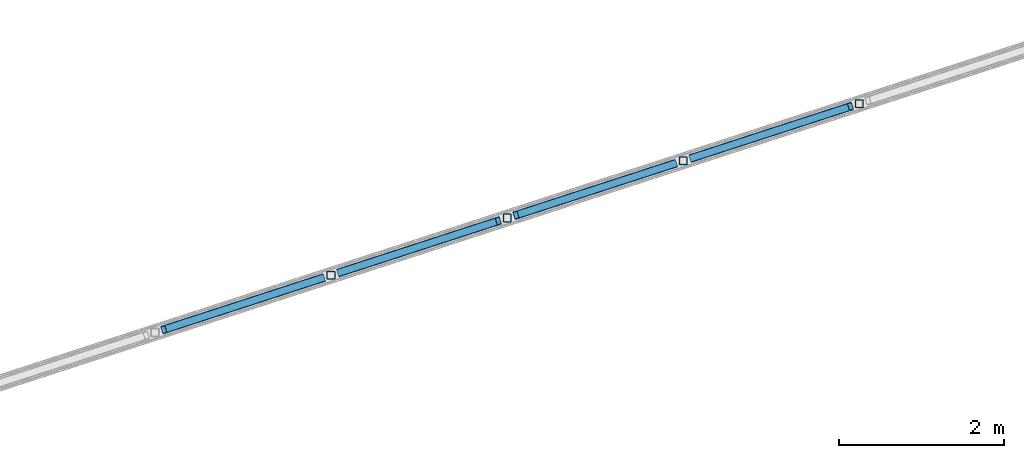
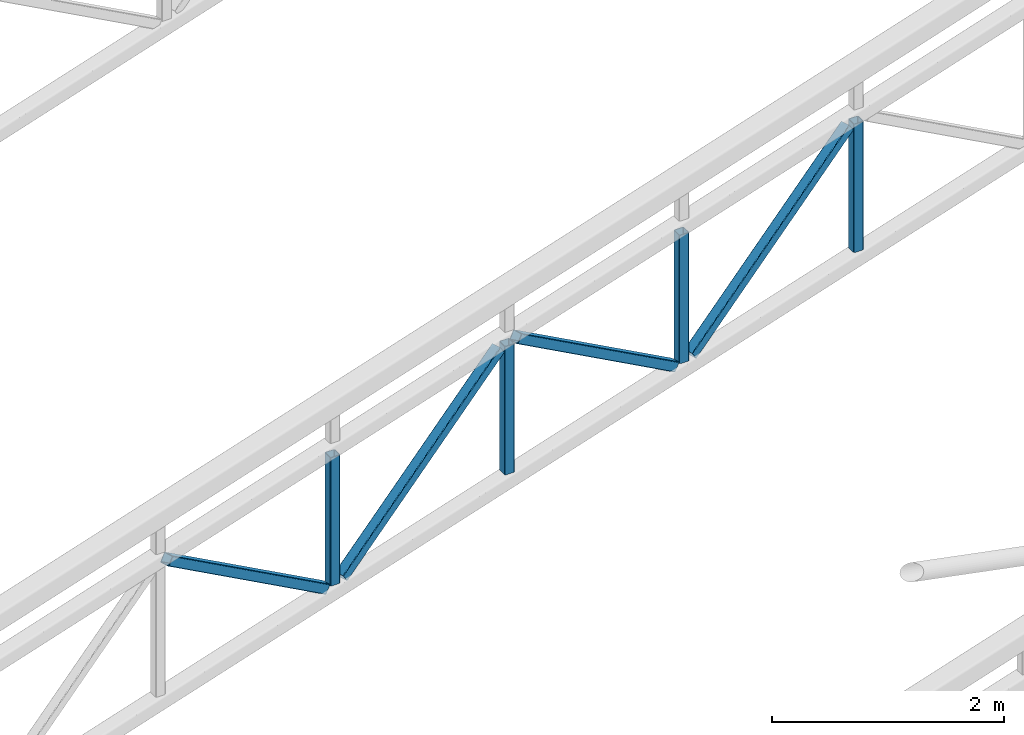
# One storey, part 11 of 81: 8 members.
"""IFC4 building model written with IfcOpenShell, lengths in metres."""

from ifc_helpers import new_model, si_unit, direction, frame, origin, origin_2d, place, context, subcontext, project, spatial, hollow_rectangle, extrude, material, material_profile, profile_set, type_object, element, save


model = new_model("IFC4")

# Units and contexts
model_context = context("Model", 3, precision=1e-05, world=origin(), true_north=direction((0.0, 1.0)))
body_context = subcontext(model_context, "Body", "Model", "MODEL_VIEW")
ifc_project = project(units=[si_unit("LENGTHUNIT", "METRE"), si_unit("AREAUNIT", "SQUARE_METRE"), si_unit("VOLUMEUNIT", "CUBIC_METRE"), si_unit("PLANEANGLEUNIT", "RADIAN"), si_unit("MASSUNIT", "GRAM", prefix="KILO")], contexts=[model_context])

# Site, building, storey
site_placement = place(None, origin())
site = spatial("IfcSite", under=ifc_project, at=site_placement, CompositionType="ELEMENT")
building_placement = place(site_placement, origin())
building = spatial("IfcBuilding", under=site, at=building_placement, Name="Tuart Plaza Theatre", CompositionType="ELEMENT")
storey_placement = place(building_placement, frame((0.0, 0.0, 17.5)))
storey = spatial("IfcBuildingStorey", under=building, at=storey_placement, Name="L04", CompositionType="ELEMENT", Elevation=17.5)

# Members
ifc_material_1 = material(Name="Steel Grade C350L0", Category="steel")
ifc_material_profile_1 = material_profile(ifc_material_1, hollow_rectangle(XDim=0.10009765625, YDim=0.10009765625, WallThickness=0.006103515625, InnerFilletRadius=0.006103515625, OuterFilletRadius=0.011962890625, at=origin_2d()), Name="100x100x6 SHS")
ifc_profile_set_1 = profile_set([ifc_material_profile_1], Name="Steel Grade C350L0")
member_type_1 = type_object("IfcMemberType", Name="MEMBER Brace 100x100x6 SHS", PredefinedType="BRACE", material=ifc_profile_set_1)
for number, where, z_axis, x_axis, name in (
    (1, (48.560546875, 57.30419921875, 3.24169921875), (0.791072972357, 0.257066093415, -0.555086097847), (-0.309050599318, 0.951045596731, 0.0), "BR120"),
    (2, (50.698486328125, 57.998779296875, 1.8916015625), (0.791072972357, 0.257066093415, 0.555086097847), (-0.309050599318, 0.951045596731, 0.0), "BR121"),
    (3, (52.83642578125, 58.693603515625, 3.24169921875), (0.791093381678, 0.256972345781, -0.555100418815), (-0.308941443477, 0.951081060953, 0.0), "BR122"),
    (4, (54.974365234375, 59.38818359375, 1.8916015625), (0.791072972357, 0.257066093415, 0.555086097847), (-0.309050599318, 0.951045596731, 0.0), "BR123"),
):
    element("IfcMember", number, at=place(storey_placement, frame(where, z_axis=z_axis, x_axis=x_axis)), inside=storey, type_object=member_type_1, Name=name, PredefinedType="BRACE", context=body_context, shape_type="SweptSolid", body=[
        extrude(hollow_rectangle(XDim=0.10009765625, YDim=0.10009765625, WallThickness=0.006103515625, InnerFilletRadius=0.006103515625, OuterFilletRadius=0.011962890625, at=origin_2d()), origin(), (0.0, 0.0, 1.0), 2.43212890625),
    ])
ifc_material_2 = material(Name="Steel Grade C350L0", Category="steel")
ifc_material_profile_2 = material_profile(ifc_material_2, hollow_rectangle(XDim=0.10009765625, YDim=0.10009765625, WallThickness=0.006103515625, InnerFilletRadius=0.006103515625, OuterFilletRadius=0.011962890625, at=origin_2d()), Name="100x100x6 SHS")
ifc_profile_set_2 = profile_set([ifc_material_profile_2], Name="Steel Grade C350L0")
member_type_2 = type_object("IfcMemberType", Name="MEMBER Post 100x100x6 SHS", PredefinedType="POST", material=ifc_profile_set_2)
for number, where, z_axis, x_axis, name in (
    (5, (50.591552734375, 57.964111328125, 1.8916015625), (0.0, 0.0, 1.0), (1.0, 0.0, 0.0), "PO137"),
    (6, (52.7294921875, 58.65869140625, 1.8916015625), (0.0, 0.0, 1.0), (1.0, 0.0, 0.0), "PO138"),
    (7, (54.867431640625, 59.353515625, 1.8916015625), (0.0, 0.0, 1.0), (1.0, 0.0, 0.0), "PO139"),
    (8, (57.00537109375, 60.048095703125, 1.8916015625), (0.0, 0.0, 1.0), (1.0, 0.0, 0.0), "PO140"),
):
    element("IfcMember", number, at=place(storey_placement, frame(where, z_axis=z_axis, x_axis=x_axis)), inside=storey, type_object=member_type_2, Name=name, PredefinedType="POST", context=body_context, shape_type="SweptSolid", body=[
        extrude(hollow_rectangle(XDim=0.10009765625, YDim=0.10009765625, WallThickness=0.006103515625, InnerFilletRadius=0.006103515625, OuterFilletRadius=0.011962890625, at=origin_2d()), origin(), (0.0, 0.0, 1.0), 1.35009765625),
    ])

save(model, "model.ifc")
